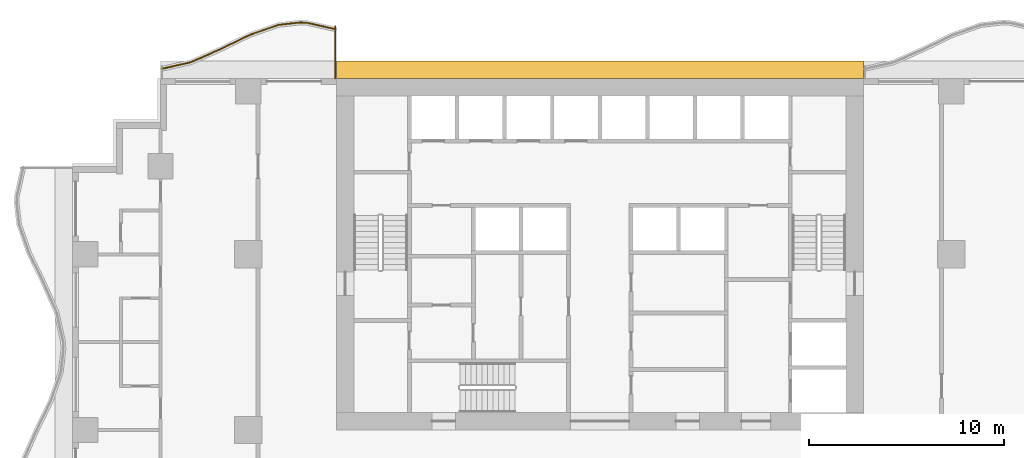
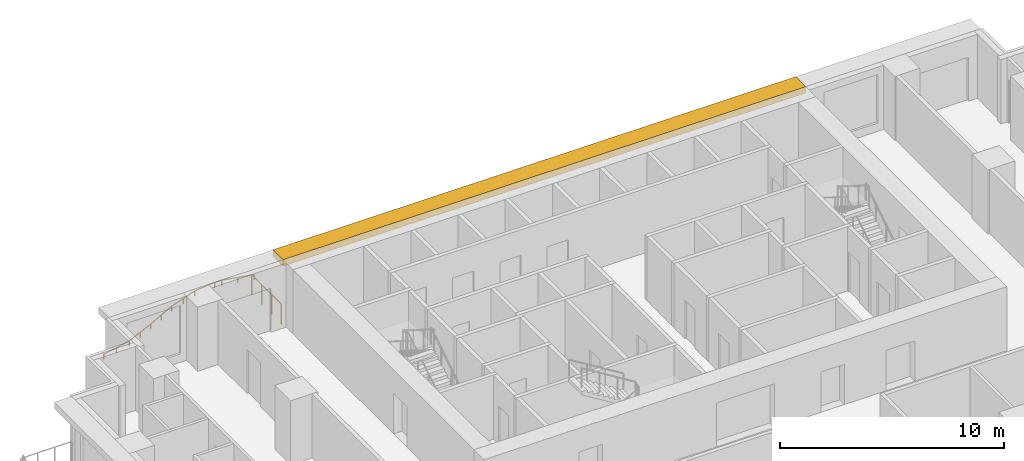
# One storey, part 13 of 14: 2 railings, 1 shading device.
"""IFC4 building model written with IfcOpenShell, lengths in metres."""

from ifc_helpers import new_model, si_unit, direction, frame, origin, origin_2d, place, context, subcontext, project, spatial, polyline, rectangle, outline, extrude, material, layer, layer_set, type_object, element, save


model = new_model("IFC4")

# Units and contexts
model_context = context("Model", 3, precision=1e-05, world=origin(), true_north=direction((0.0, 1.0)))
body_context = subcontext(model_context, "Body", "Model", "MODEL_VIEW")
ifc_project = project(units=[si_unit("LENGTHUNIT", "METRE"), si_unit("AREAUNIT", "SQUARE_METRE"), si_unit("VOLUMEUNIT", "CUBIC_METRE"), si_unit("PLANEANGLEUNIT", "RADIAN"), si_unit("MASSUNIT", "GRAM", prefix="KILO")], contexts=[model_context])

# Site, building, storey
site_placement = place(None, origin())
site = spatial("IfcSite", under=ifc_project, at=site_placement, CompositionType="ELEMENT")
building_placement = place(site_placement, origin())
building = spatial("IfcBuilding", under=site, at=building_placement, Name="Orbiselva Terraces", CompositionType="ELEMENT")
storey_placement = place(building_placement, frame((0.0, 0.0, 80.8)))
storey = spatial("IfcBuildingStorey", under=building, at=storey_placement, Name="L20", CompositionType="ELEMENT", Elevation=80.8)

# Railings
ifc_material_1 = material(Name="Bonded two-ply safety glass balustrade, stainless steel posts", Category="steel")
railing_type_1 = type_object("IfcRailingType", Name="ENV-BALUSTRADE-1200", PredefinedType="BALUSTRADE", material=ifc_material_1)
railing_1_placement = place(storey_placement, frame((-13.527377, 25.026563, 0.9)))
element("IfcRailing", 1, at=railing_1_placement, inside=storey, type_object=railing_type_1, Name="Balcony balustrade L20 NW", PredefinedType="BALUSTRADE", context=body_context, shape_type="SweptSolid", body=[
    extrude(outline(polyline([(0.028868, 0.0), (0.014434, 0.025), (-0.014434, 0.025), (-0.028868, 0.0), (-0.014434, -0.025), (0.014434, -0.025), (0.028868, 0.0)])), frame((0.0, 0.0, 0.275), z_axis=(-0.975721322437, 0.21901575501, 0.0), x_axis=(-0.21901575501, -0.975721322437, 0.0)), (0.0, 0.0, 1.0), 1.525954),
    extrude(outline(polyline([(0.028868, 0.0), (0.014434, 0.025), (-0.014434, 0.025), (-0.028868, 0.0), (-0.014434, -0.025), (0.014434, -0.025), (0.028868, 0.0)])), frame((-1.488906, 0.334208, 0.275), z_axis=(-0.999224931454, 0.039364150694, 0.0), x_axis=(-0.039364150694, -0.999224931454, 0.0)), (0.0, 0.0, 1.0), 0.354206),
    extrude(outline(polyline([(0.028868, 0.0), (0.014434, 0.025), (-0.014434, 0.025), (-0.028868, 0.0), (-0.014434, -0.025), (0.014434, -0.025), (0.028868, 0.0)])), frame((-1.842837, 0.348151, 0.275), z_axis=(-0.993309658409, -0.115481264762, 0.0), x_axis=(0.115481264762, -0.993309658409, 0.0)), (0.0, 0.0, 1.0), 1.10902),
    extrude(outline(polyline([(0.028868, 0.0), (0.014434, 0.025), (-0.014434, 0.025), (-0.028868, 0.0), (-0.014434, -0.025), (0.014434, -0.025), (0.028868, 0.0)])), frame((-2.944437, 0.22008, 0.275), z_axis=(-0.943972277814, -0.330024754707, 0.0), x_axis=(0.330024754707, -0.943972277814, 0.0)), (0.0, 0.0, 1.0), 1.567807),
    extrude(outline(polyline([(0.028868, 0.0), (0.014434, 0.025), (-0.014434, 0.025), (-0.028868, 0.0), (-0.014434, -0.025), (0.014434, -0.025), (0.028868, 0.0)])), frame((-4.424403, -0.297335, 0.275), z_axis=(-0.89857890432, -0.438811978768, 0.0), x_axis=(0.438811978768, -0.89857890432, 0.0)), (0.0, 0.0, 1.0), 1.66438),
    extrude(outline(polyline([(0.028868, 0.0), (0.014434, 0.025), (-0.014434, 0.025), (-0.028868, 0.0), (-0.014434, -0.025), (0.014434, -0.025), (0.028868, 0.0)])), frame((-5.91998, -1.027685, 0.275), z_axis=(-0.915133527237, -0.403150874148, 0.0), x_axis=(0.403150874148, -0.915133527237, 0.0)), (0.0, 0.0, 1.0), 1.653736),
    extrude(outline(polyline([(0.028868, 0.0), (0.014434, 0.025), (-0.014434, 0.025), (-0.028868, 0.0), (-0.014434, -0.025), (0.014434, -0.025), (0.028868, 0.0)])), frame((-7.433369, -1.69439, 0.275), z_axis=(-0.975721349543, -0.219015634252, 0.0), x_axis=(0.219015634252, -0.975721349543, 0.0)), (0.0, 0.0, 1.0), 1.549497),
    extrude(rectangle(XDim=0.05, YDim=0.05, at=origin_2d()), origin(), (0.0, 0.0, 1.0), 0.25),
    extrude(rectangle(XDim=0.05, YDim=0.05, at=origin_2d()), frame((-0.744453, 0.167104, 0.0)), (0.0, 0.0, 1.0), 0.25),
    extrude(rectangle(XDim=0.05, YDim=0.05, at=origin_2d()), frame((-1.488906, 0.334208, 0.0)), (0.0, 0.0, 1.0), 0.25),
    extrude(rectangle(XDim=0.05, YDim=0.05, at=origin_2d()), frame((-1.842837, 0.348151, 0.0)), (0.0, 0.0, 1.0), 0.25),
    extrude(rectangle(XDim=0.05, YDim=0.05, at=origin_2d()), frame((-2.944437, 0.22008, 0.0)), (0.0, 0.0, 1.0), 0.25),
    extrude(rectangle(XDim=0.05, YDim=0.05, at=origin_2d()), frame((-3.68442, -0.038628, 0.0)), (0.0, 0.0, 1.0), 0.25),
    extrude(rectangle(XDim=0.05, YDim=0.05, at=origin_2d()), frame((-4.424403, -0.297335, 0.0)), (0.0, 0.0, 1.0), 0.25),
    extrude(rectangle(XDim=0.05, YDim=0.05, at=origin_2d()), frame((-5.172192, -0.66251, 0.0)), (0.0, 0.0, 1.0), 0.25),
    extrude(rectangle(XDim=0.05, YDim=0.05, at=origin_2d()), frame((-5.91998, -1.027685, 0.0)), (0.0, 0.0, 1.0), 0.25),
    extrude(rectangle(XDim=0.05, YDim=0.05, at=origin_2d()), frame((-6.676675, -1.361037, 0.0)), (0.0, 0.0, 1.0), 0.25),
    extrude(rectangle(XDim=0.05, YDim=0.05, at=origin_2d()), frame((-7.433369, -1.69439, 0.0)), (0.0, 0.0, 1.0), 0.25),
    extrude(rectangle(XDim=0.05, YDim=0.05, at=origin_2d()), frame((-8.189308, -1.864072, 0.0)), (0.0, 0.0, 1.0), 0.25),
    extrude(rectangle(XDim=0.05, YDim=0.05, at=origin_2d()), frame((-8.945246, -2.033754, 0.0)), (0.0, 0.0, 1.0), 0.25),
])
ifc_material_2 = material(Name="Stainless steel rail and posts", Category="steel")
railing_type_2 = type_object("IfcRailingType", Name="ENV-GUARD-1105", PredefinedType="BALUSTRADE", material=ifc_material_2)
railing_2_placement = place(storey_placement, frame((-13.56, 25.169584, 0.0)))
element("IfcRailing", 2, at=railing_2_placement, inside=storey, type_object=railing_type_2, Name="Balcony end guard L20 NW", PredefinedType="BALUSTRADE", context=body_context, shape_type="SweptSolid", body=[
    extrude(outline(polyline([(0.028868, 0.0), (0.014434, 0.025), (-0.014434, 0.025), (-0.028868, 0.0), (-0.014434, -0.025), (0.014434, -0.025), (0.028868, 0.0)])), frame((0.0, 0.0, 1.08), z_axis=(0.0, -1.0, 0.0), x_axis=(1.0, 0.0, 0.0)), (0.0, 0.0, 1.0), 2.644584),
    extrude(rectangle(XDim=0.05, YDim=0.05, at=origin_2d()), origin(), (0.0, 0.0, 1.0), 1.055),
    extrude(rectangle(XDim=0.05, YDim=0.05, at=origin_2d()), frame((0.0, -0.881528, 0.0)), (0.0, 0.0, 1.0), 1.055),
    extrude(rectangle(XDim=0.05, YDim=0.05, at=origin_2d()), frame((0.0, -1.763056, 0.0)), (0.0, 0.0, 1.0), 1.055),
    extrude(rectangle(XDim=0.05, YDim=0.05, at=origin_2d()), frame((0.0, -2.644584, 0.0)), (0.0, 0.0, 1.0), 1.055),
])

# Shading device
ifc_material_3 = material(Name="Terracotta baguette sunshade", Category="masonry")
ifc_layer = layer(ifc_material_3, 0.35)
ifc_layer_set = layer_set([ifc_layer], Name="Terracotta baguette sunshade")
shading_device_type = type_object("IfcShadingDeviceType", Name="ENV-SUNSHADE-900x350", PredefinedType="USERDEFINED", material=ifc_layer_set)
shading_device_placement = place(storey_placement, frame((0.0, 0.0, 3.15)))
element("IfcShadingDevice", 3, at=shading_device_placement, inside=storey, type_object=shading_device_type, Name="Sunshade band L20 CORE NORTH", ObjectType="SUNSHADE", PredefinedType="USERDEFINED", context=body_context, shape_type="SweptSolid", body=[
    extrude(outline(polyline([(13.5, 23.4), (-13.5, 23.4), (-13.5, 22.5), (13.5, 22.5), (13.5, 23.4)])), origin(), (0.0, 0.0, 1.0), 0.35),
])

save(model, "model.ifc")
